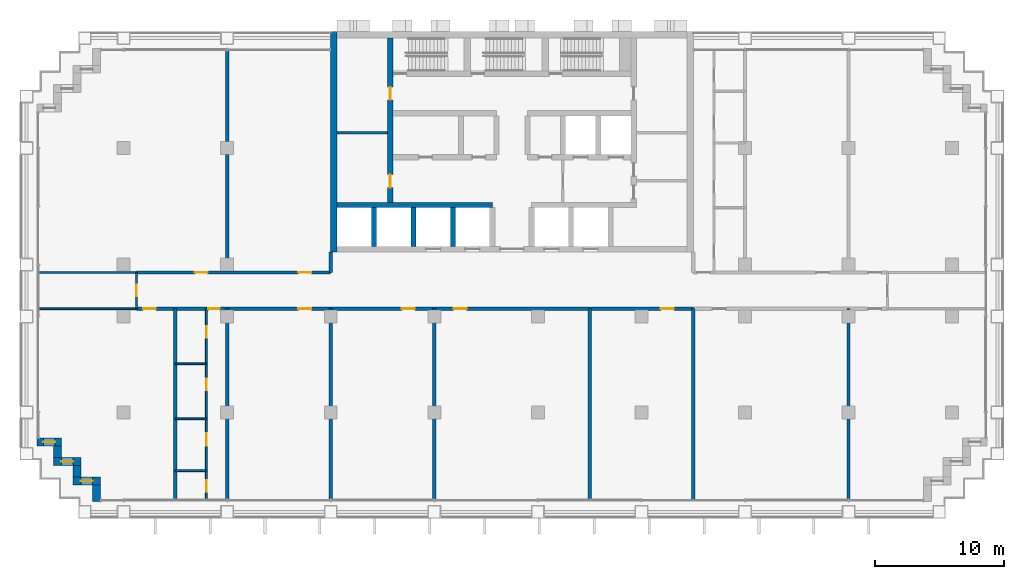
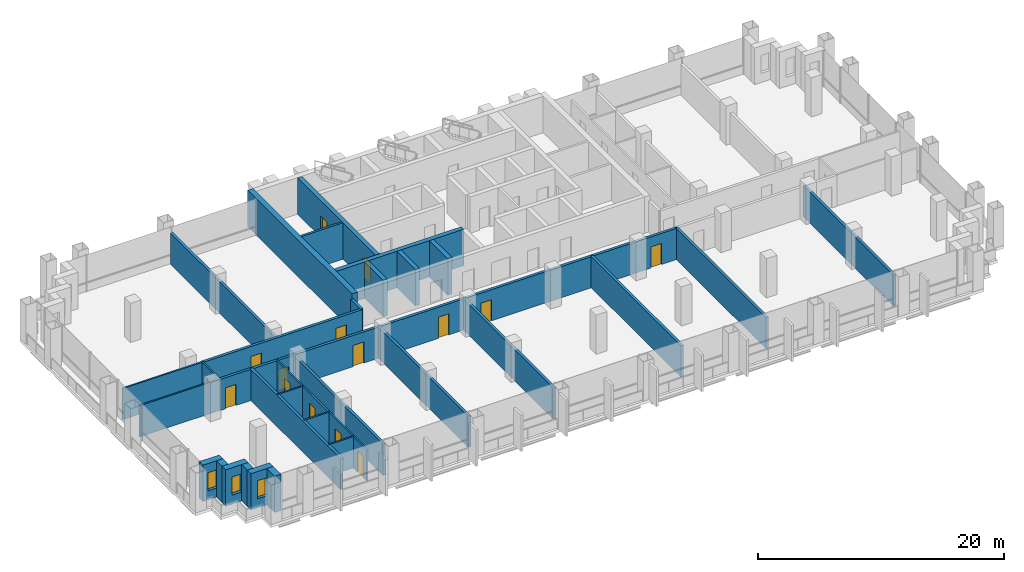
# One storey, part 7 of 13: 32 walls, 15 doors, 3 windows, 18 openings.
"""IFC4 building model written with IfcOpenShell, lengths in metres."""

from ifc_helpers import new_model, si_unit, direction, frame, frame_2d, origin, place, context, subcontext, project, spatial, rectangle, extrude, material, layer, layer_set, type_object, element, fill, save


model = new_model("IFC4")

# Units and contexts
model_context = context("Model", 3, precision=1e-05, world=origin(), true_north=direction((0.0, 1.0)))
body_context = subcontext(model_context, "Body", "Model", "MODEL_VIEW")
ifc_project = project(units=[si_unit("LENGTHUNIT", "METRE"), si_unit("AREAUNIT", "SQUARE_METRE"), si_unit("VOLUMEUNIT", "CUBIC_METRE"), si_unit("PLANEANGLEUNIT", "RADIAN"), si_unit("MASSUNIT", "GRAM", prefix="KILO")], contexts=[model_context])

# Site, building, storey
site_placement = place(None, origin())
site = spatial("IfcSite", under=ifc_project, at=site_placement, CompositionType="ELEMENT")
building_placement = place(site_placement, origin())
building = spatial("IfcBuilding", under=site, at=building_placement, Name="Vidyagriha Tower", CompositionType="ELEMENT")
storey_placement = place(building_placement, frame((0.0, 0.0, 37.699951171875)))
storey = spatial("IfcBuildingStorey", under=building, at=storey_placement, Name="L09", CompositionType="ELEMENT", Elevation=37.699951171875)

# Wall, opening, window
ifc_material_1 = material(Name="Precast concrete C40/50 with brick facing", Category="concrete")
ifc_layer_1 = layer(ifc_material_1, 0.60009765625)
ifc_layer_set_1 = layer_set([ifc_layer_1], Name="Precast concrete C40/50 with brick facing")
wall_type_1 = type_object("IfcWallType", Name="Brick-faced precast wall 600", PredefinedType="STANDARD", material=ifc_layer_set_1)
wall_1_placement = place(storey_placement, frame((-36.679931640625, -11.699951171875, 0.0)))
wall_1 = element("IfcWall", 1, at=wall_1_placement, inside=storey, type_object=wall_type_1, Name="Stepped corner wall L09 R17", PredefinedType="STANDARD", context=body_context, shape_type="SweptSolid", body=[
    extrude(rectangle(XDim=1.8798828125, YDim=0.60009765625, at=frame_2d((0.93994140625, 0.0))), origin(), (0.0, 0.0, 1.0), 3.6201171875),
])
opening_1_placement = place(wall_1_placement, frame((0.489990234375, 0.0, 0.89990234375)))
opening_1 = element("IfcOpeningElement", 2, at=opening_1_placement, cuts=wall_1, Name="Opening WN2", PredefinedType="OPENING", context=body_context, shape_type="SweptSolid", body=[
    extrude(rectangle(XDim=0.89990234375, YDim=1.800048828125, at=frame_2d((0.449951171875, 0.89990234375))), frame((0.0, 0.31005859375, 0.0), z_axis=(0.0, -1.0, 0.0), x_axis=(1.0, 0.0, 0.0)), (0.0, 0.0, 1.0), 0.6201171875),
])
ifc_material_2 = material(Name="Aluminium and glass window", Category="aluminium")
window_type = type_object("IfcWindowType", Name="Reveal window 900x1800", PartitioningType="NOTDEFINED", PredefinedType="WINDOW", material=ifc_material_2)
window_1_placement = place(opening_1_placement, origin())
window_1 = element("IfcWindow", 3, at=window_1_placement, inside=storey, type_object=window_type, Name="Reveal window L09 R17", OverallHeight=1.800048828125, OverallWidth=0.89990234375, PartitioningType="SINGLE_PANEL", PredefinedType="WINDOW", context=body_context, shape_type="SweptSolid", body=[
    extrude(rectangle(XDim=0.89990234375, YDim=1.800048828125, at=frame_2d((0.449951171875, 0.89990234375))), frame((0.0, 0.030029296875, 0.0), z_axis=(0.0, -1.0, 0.0), x_axis=(1.0, 0.0, 0.0)), (0.0, 0.0, 1.0), 0.06005859375),
])
fill(opening_1, window_1)

# Wall
wall_2_placement = place(storey_placement, frame((-35.10009765625, -12.0, 0.0), z_axis=(0.0, 0.0, 1.0), x_axis=(0.0, -1.0, 0.0)))
element("IfcWall", 4, at=wall_2_placement, inside=storey, type_object=wall_type_1, Name="Stepped corner wall L09 R18", PredefinedType="STANDARD", context=body_context, shape_type="SweptSolid", body=[
    extrude(rectangle(XDim=0.89990234375, YDim=0.60009765625, at=frame_2d((0.449951171875, 0.0))), origin(), (0.0, 0.0, 1.0), 3.6201171875),
])

# Wall, opening, window
wall_3_placement = place(storey_placement, frame((-35.39990234375, -13.199951171875, 0.0)))
wall_3 = element("IfcWall", 5, at=wall_3_placement, inside=storey, type_object=wall_type_1, Name="Stepped corner wall L09 R19", PredefinedType="STANDARD", context=body_context, shape_type="SweptSolid", body=[
    extrude(rectangle(XDim=2.099853515625, YDim=0.60009765625, at=frame_2d((1.0498046875, 0.0))), origin(), (0.0, 0.0, 1.0), 3.6201171875),
])
opening_2_placement = place(wall_3_placement, frame((0.60009765625, 0.0, 0.89990234375)))
opening_2 = element("IfcOpeningElement", 6, at=opening_2_placement, cuts=wall_3, Name="Opening WN2", PredefinedType="OPENING", context=body_context, shape_type="SweptSolid", body=[
    extrude(rectangle(XDim=0.89990234375, YDim=1.800048828125, at=frame_2d((0.449951171875, 0.89990234375))), frame((0.0, 0.31005859375, 0.0), z_axis=(0.0, -1.0, 0.0), x_axis=(1.0, 0.0, 0.0)), (0.0, 0.0, 1.0), 0.6201171875),
])
window_2_placement = place(opening_2_placement, origin())
window_2 = element("IfcWindow", 7, at=window_2_placement, inside=storey, type_object=window_type, Name="Reveal window L09 R19", OverallHeight=1.800048828125, OverallWidth=0.89990234375, PartitioningType="SINGLE_PANEL", PredefinedType="WINDOW", context=body_context, shape_type="SweptSolid", body=[
    extrude(rectangle(XDim=0.89990234375, YDim=1.800048828125, at=frame_2d((0.449951171875, 0.89990234375))), frame((0.0, 0.030029296875, 0.0), z_axis=(0.0, -1.0, 0.0), x_axis=(1.0, 0.0, 0.0)), (0.0, 0.0, 1.0), 0.06005859375),
])
fill(opening_2, window_2)

# Wall
wall_4_placement = place(storey_placement, frame((-33.60009765625, -13.5, 0.0), z_axis=(0.0, 0.0, 1.0), x_axis=(0.0, -1.0, 0.0)))
element("IfcWall", 8, at=wall_4_placement, inside=storey, type_object=wall_type_1, Name="Stepped corner wall L09 R20", PredefinedType="STANDARD", context=body_context, shape_type="SweptSolid", body=[
    extrude(rectangle(XDim=0.89990234375, YDim=0.60009765625, at=frame_2d((0.449951171875, 0.0))), origin(), (0.0, 0.0, 1.0), 3.6201171875),
])

# Wall, opening, window
wall_5_placement = place(storey_placement, frame((-33.89990234375, -14.699951171875, 0.0)))
wall_5 = element("IfcWall", 9, at=wall_5_placement, inside=storey, type_object=wall_type_1, Name="Stepped corner wall L09 R21", PredefinedType="STANDARD", context=body_context, shape_type="SweptSolid", body=[
    extrude(rectangle(XDim=2.099853515625, YDim=0.60009765625, at=frame_2d((1.0498046875, 0.0))), origin(), (0.0, 0.0, 1.0), 3.6201171875),
])
opening_3_placement = place(wall_5_placement, frame((0.60009765625, 0.0, 0.89990234375)))
opening_3 = element("IfcOpeningElement", 10, at=opening_3_placement, cuts=wall_5, Name="Opening WN2", PredefinedType="OPENING", context=body_context, shape_type="SweptSolid", body=[
    extrude(rectangle(XDim=0.89990234375, YDim=1.800048828125, at=frame_2d((0.449951171875, 0.89990234375))), frame((0.0, 0.31005859375, 0.0), z_axis=(0.0, -1.0, 0.0), x_axis=(1.0, 0.0, 0.0)), (0.0, 0.0, 1.0), 0.6201171875),
])
window_3_placement = place(opening_3_placement, origin())
window_3 = element("IfcWindow", 11, at=window_3_placement, inside=storey, type_object=window_type, Name="Reveal window L09 R21", OverallHeight=1.800048828125, OverallWidth=0.89990234375, PartitioningType="SINGLE_PANEL", PredefinedType="WINDOW", context=body_context, shape_type="SweptSolid", body=[
    extrude(rectangle(XDim=0.89990234375, YDim=1.800048828125, at=frame_2d((0.449951171875, 0.89990234375))), frame((0.0, 0.030029296875, 0.0), z_axis=(0.0, -1.0, 0.0), x_axis=(1.0, 0.0, 0.0)), (0.0, 0.0, 1.0), 0.06005859375),
])
fill(opening_3, window_3)

# Wall
wall_6_placement = place(storey_placement, frame((-32.10009765625, -15.0, 0.0), z_axis=(0.0, 0.0, 1.0), x_axis=(0.0, -1.0, 0.0)))
element("IfcWall", 12, at=wall_6_placement, inside=storey, type_object=wall_type_1, Name="Stepped corner wall L09 R22", PredefinedType="STANDARD", context=body_context, shape_type="SweptSolid", body=[
    extrude(rectangle(XDim=1.280029296875, YDim=0.60009765625, at=frame_2d((0.64013671875, 0.0))), origin(), (0.0, 0.0, 1.0), 3.6201171875),
])

# Wall, openings, doors
ifc_material_3 = material(Name="Concrete C60/75", Category="concrete")
ifc_layer_2 = layer(ifc_material_3, 0.39990234375)
ifc_layer_set_2 = layer_set([ifc_layer_2], Name="Concrete C60/75")
wall_type_2 = type_object("IfcWallType", Name="Core shear wall 400 mm", PredefinedType="SHEAR", material=ifc_layer_set_2)
wall_7_placement = place(storey_placement, frame((-9.39990234375, 6.800048828125, 0.0), z_axis=(0.0, 0.0, 1.0), x_axis=(0.0, 1.0, 0.0)))
wall_7 = element("IfcWall", 13, at=wall_7_placement, inside=storey, type_object=wall_type_2, Name="Core west spine wall", PredefinedType="SHEAR", context=body_context, shape_type="SweptSolid", body=[
    extrude(rectangle(XDim=12.699951171875, YDim=0.39990234375, at=frame_2d((6.35009765625, 0.0))), origin(), (0.0, 0.0, 1.0), 3.6201171875),
])
opening_4_placement = place(wall_7_placement, frame((1.14990234375, 0.0, 0.0)))
opening_4 = element("IfcOpeningElement", 14, at=opening_4_placement, cuts=wall_7, Name="Opening D09-09", PredefinedType="OPENING", context=body_context, shape_type="SweptSolid", body=[
    extrude(rectangle(XDim=1.0, YDim=2.10009765625, at=frame_2d((0.5, 1.050048828125))), frame((0.0, 0.2099609375, 0.0), z_axis=(0.0, -1.0, 0.0), x_axis=(1.0, 0.0, 0.0)), (0.0, 0.0, 1.0), 0.419921875),
])
opening_5_placement = place(wall_7_placement, frame((7.925048828125, 0.0, 0.0)))
opening_5 = element("IfcOpeningElement", 15, at=opening_5_placement, cuts=wall_7, Name="Opening D09-10", PredefinedType="OPENING", context=body_context, shape_type="SweptSolid", body=[
    extrude(rectangle(XDim=1.0, YDim=2.10009765625, at=frame_2d((0.5, 1.050048828125))), frame((0.0, 0.2099609375, 0.0), z_axis=(0.0, -1.0, 0.0), x_axis=(1.0, 0.0, 0.0)), (0.0, 0.0, 1.0), 0.419921875),
])
ifc_material_4 = material(Name="Hollow metal door leaf")
door_type_1 = type_object("IfcDoorType", Name="Core room door 1000 x 2100 mm EI 60", OperationType="NOTDEFINED", PredefinedType="DOOR", material=ifc_material_4)
door_1_placement = place(opening_4_placement, frame((1.0, 0.0, 0.0), z_axis=(0.0, 0.0, 1.0), x_axis=(-1.0, 0.0, 0.0)))
door_1 = element("IfcDoor", 16, at=door_1_placement, inside=storey, type_object=door_type_1, Name="Door Cleaners Store 09.W1", OperationType="SINGLE_SWING_RIGHT", OverallHeight=2.10009765625, OverallWidth=1.0, PredefinedType="DOOR", context=body_context, shape_type="SweptSolid", body=[
    extrude(rectangle(XDim=1.0, YDim=2.10009765625, at=frame_2d((0.5, 1.050048828125))), frame((0.0, 0.02490234375, 0.0), z_axis=(0.0, -1.0, 0.0), x_axis=(1.0, 0.0, 0.0)), (0.0, 0.0, 1.0), 0.050048828125),
])
fill(opening_4, door_1)
door_2_placement = place(opening_5_placement, frame((1.0, 0.0, 0.0), z_axis=(0.0, 0.0, 1.0), x_axis=(-1.0, 0.0, 0.0)))
door_2 = element("IfcDoor", 17, at=door_2_placement, inside=storey, type_object=door_type_1, Name="Door Pressurisation Plant Room 09.W2", OperationType="SINGLE_SWING_LEFT", OverallHeight=2.10009765625, OverallWidth=1.0, PredefinedType="DOOR", context=body_context, shape_type="SweptSolid", body=[
    extrude(rectangle(XDim=1.0, YDim=2.10009765625, at=frame_2d((0.5, 1.050048828125))), frame((0.0, 0.02490234375, 0.0), z_axis=(0.0, -1.0, 0.0), x_axis=(1.0, 0.0, 0.0)), (0.0, 0.0, 1.0), 0.050048828125),
])
fill(opening_5, door_2)

# Walls
wall_8_placement = place(storey_placement, frame((-13.5, 6.60009765625, 0.0)))
element("IfcWall", 18, at=wall_8_placement, inside=storey, type_object=wall_type_2, Name="Core lobby south wall west", PredefinedType="SHEAR", context=body_context, shape_type="SweptSolid", body=[
    extrude(rectangle(XDim=11.977783203125, YDim=0.39990234375, at=frame_2d((5.98876953125, 0.0))), origin(), (0.0, 0.0, 1.0), 3.6201171875),
])
for number, where, z_axis, x_axis, name in (
    (19, (-10.655517578125, 3.39990234375, 0.0), (0.0, 0.0, 1.0), (0.0, 1.0, 0.0), "Core bay wall S1"),
    (20, (-7.611083984375, 3.39990234375, 0.0), (0.0, 0.0, 1.0), (0.0, 1.0, 0.0), "Core bay wall S2"),
    (21, (-4.566650390625, 3.39990234375, 0.0), (0.0, 0.0, 1.0), (0.0, 1.0, 0.0), "Core bay wall S3"),
):
    element("IfcWall", number, at=place(storey_placement, frame(where, z_axis=z_axis, x_axis=x_axis)), inside=storey, type_object=wall_type_2, Name=name, PredefinedType="SHEAR", context=body_context, shape_type="SweptSolid", body=[
        extrude(rectangle(XDim=3.0, YDim=0.39990234375, at=frame_2d((1.5, 0.0))), origin(), (0.0, 0.0, 1.0), 3.6201171875),
    ])
ifc_material_5 = material(Name="Concrete C60/75", Category="concrete")
ifc_layer_3 = layer(ifc_material_5, 0.5)
ifc_layer_set_3 = layer_set([ifc_layer_3], Name="Concrete C60/75")
wall_type_3 = type_object("IfcWallType", Name="Core shear wall 500 mm", PredefinedType="SHEAR", material=ifc_layer_set_3)
wall_9_placement = place(storey_placement, frame((-13.75, 3.0, 0.0), z_axis=(0.0, 0.0, 1.0), x_axis=(0.0, 1.0, 0.0)))
element("IfcWall", 22, at=wall_9_placement, inside=storey, type_object=wall_type_3, Name="Core west wall", PredefinedType="SHEAR", context=body_context, shape_type="SweptSolid", body=[
    extrude(rectangle(XDim=17.0, YDim=0.5, at=frame_2d((8.5, 0.0))), origin(), (0.0, 0.0, 1.0), 3.6201171875),
])

# Wall, openings, doors
ifc_material_6 = material(Name="Fired clay brick masonry", Category="masonry")
ifc_layer_4 = layer(ifc_material_6, 0.25)
ifc_layer_set_4 = layer_set([ifc_layer_4], Name="Fired clay brick masonry")
wall_type_4 = type_object("IfcWallType", Name="Fired clay brick corridor wall 250", PredefinedType="PARTITIONING", material=ifc_layer_set_4)
wall_10_placement = place(storey_placement, frame((-14.0, -1.39990234375, 0.0), z_axis=(0.0, 0.0, 1.0), x_axis=(-1.0, 0.0, 0.0)))
wall_10 = element("IfcWall", 23, at=wall_10_placement, inside=storey, type_object=wall_type_4, Name="Wall all-L09-w001", PredefinedType="PARTITIONING", context=body_context, shape_type="SweptSolid", body=[
    extrude(rectangle(XDim=15.0, YDim=0.25, at=frame_2d((7.5, 0.0))), origin(), (0.0, 0.0, 1.0), 3.10009765625),
])
opening_6_placement = place(wall_10_placement, frame((1.5, 0.0, 0.0)))
opening_6 = element("IfcOpeningElement", 24, at=opening_6_placement, cuts=wall_10, Name="Opening D09-14", PredefinedType="OPENING", context=body_context, shape_type="SweptSolid", body=[
    extrude(rectangle(XDim=1.0, YDim=2.10009765625, at=frame_2d((0.5, 1.050048828125))), frame((0.0, 0.135009765625, 0.0), z_axis=(0.0, -1.0, 0.0), x_axis=(1.0, 0.0, 0.0)), (0.0, 0.0, 1.0), 0.27001953125),
])
opening_7_placement = place(wall_10_placement, frame((8.554931640625, 0.0, 0.0)))
opening_7 = element("IfcOpeningElement", 25, at=opening_7_placement, cuts=wall_10, Name="Opening D09-19", PredefinedType="OPENING", context=body_context, shape_type="SweptSolid", body=[
    extrude(rectangle(XDim=0.89990234375, YDim=2.10009765625, at=frame_2d((0.449951171875, 1.050048828125))), frame((0.0, 0.135009765625, 0.0), z_axis=(0.0, -1.0, 0.0), x_axis=(1.0, 0.0, 0.0)), (0.0, 0.0, 1.0), 0.27001953125),
])
opening_8_placement = place(wall_10_placement, frame((13.5, 0.0, 0.0)))
opening_8 = element("IfcOpeningElement", 26, at=opening_8_placement, cuts=wall_10, Name="Opening D09-20", PredefinedType="OPENING", context=body_context, shape_type="SweptSolid", body=[
    extrude(rectangle(XDim=1.0, YDim=2.10009765625, at=frame_2d((0.5, 1.050048828125))), frame((0.0, 0.135009765625, 0.0), z_axis=(0.0, -1.0, 0.0), x_axis=(1.0, 0.0, 0.0)), (0.0, 0.0, 1.0), 0.27001953125),
])
ifc_material_7 = material(Name="Fire-rated timber door leaf EI 60", Category="wood")
door_type_2 = type_object("IfcDoorType", Name="Flat entrance fire door 1000x2100", OperationType="NOTDEFINED", PredefinedType="DOOR", material=ifc_material_7)
door_3_placement = place(opening_6_placement, origin())
door_3 = element("IfcDoor", 27, at=door_3_placement, inside=storey, type_object=door_type_2, Name="Door D09-14", OperationType="SINGLE_SWING_LEFT", OverallHeight=2.10009765625, OverallWidth=1.0, PredefinedType="DOOR", context=body_context, shape_type="SweptSolid", body=[
    extrude(rectangle(XDim=1.0, YDim=2.10009765625, at=frame_2d((0.5, 1.050048828125))), frame((0.0, 0.02490234375, 0.0), z_axis=(0.0, -1.0, 0.0), x_axis=(1.0, 0.0, 0.0)), (0.0, 0.0, 1.0), 0.050048828125),
])
fill(opening_6, door_3)
door_4_placement = place(opening_8_placement, origin())
door_4 = element("IfcDoor", 28, at=door_4_placement, inside=storey, type_object=door_type_2, Name="Door D09-20", OperationType="SINGLE_SWING_LEFT", OverallHeight=2.10009765625, OverallWidth=1.0, PredefinedType="DOOR", context=body_context, shape_type="SweptSolid", body=[
    extrude(rectangle(XDim=1.0, YDim=2.10009765625, at=frame_2d((0.5, 1.050048828125))), frame((0.0, 0.02490234375, 0.0), z_axis=(0.0, -1.0, 0.0), x_axis=(1.0, 0.0, 0.0)), (0.0, 0.0, 1.0), 0.050048828125),
])
fill(opening_8, door_4)
ifc_material_8 = material(Name="Fire-rated timber door leaf EI 60", Category="wood")
door_type_3 = type_object("IfcDoorType", Name="Flat entrance fire door 900x2100", OperationType="NOTDEFINED", PredefinedType="DOOR", material=ifc_material_8)
door_5_placement = place(opening_7_placement, origin())
door_5 = element("IfcDoor", 29, at=door_5_placement, inside=storey, type_object=door_type_3, Name="Door D09-19", OperationType="SINGLE_SWING_RIGHT", OverallHeight=2.10009765625, OverallWidth=0.89990234375, PredefinedType="DOOR", context=body_context, shape_type="SweptSolid", body=[
    extrude(rectangle(XDim=0.89990234375, YDim=2.10009765625, at=frame_2d((0.449951171875, 1.050048828125))), frame((0.0, 0.02490234375, 0.0), z_axis=(0.0, -1.0, 0.0), x_axis=(1.0, 0.0, 0.0)), (0.0, 0.0, 1.0), 0.050048828125),
])
fill(opening_7, door_5)

wall_11_placement = place(storey_placement, frame((-29.0, 1.39990234375, 0.0)))
wall_11 = element("IfcWall", 30, at=wall_11_placement, inside=storey, type_object=wall_type_4, Name="Wall all-L09-w019", PredefinedType="PARTITIONING", context=body_context, shape_type="SweptSolid", body=[
    extrude(rectangle(XDim=15.0, YDim=0.25, at=frame_2d((7.5, 0.0))), origin(), (0.0, 0.0, 1.0), 3.10009765625),
])
opening_9_placement = place(wall_11_placement, frame((12.5, 0.0, 0.0)))
opening_9 = element("IfcOpeningElement", 31, at=opening_9_placement, cuts=wall_11, Name="Opening D09-22", PredefinedType="OPENING", context=body_context, shape_type="SweptSolid", body=[
    extrude(rectangle(XDim=1.0, YDim=2.10009765625, at=frame_2d((0.5, 1.050048828125))), frame((0.0, 0.135009765625, 0.0), z_axis=(0.0, -1.0, 0.0), x_axis=(1.0, 0.0, 0.0)), (0.0, 0.0, 1.0), 0.27001953125),
])
opening_10_placement = place(wall_11_placement, frame((4.5, 0.0, 0.0)))
opening_10 = element("IfcOpeningElement", 32, at=opening_10_placement, cuts=wall_11, Name="Opening D09-23", PredefinedType="OPENING", context=body_context, shape_type="SweptSolid", body=[
    extrude(rectangle(XDim=1.0, YDim=2.10009765625, at=frame_2d((0.5, 1.050048828125))), frame((0.0, 0.135009765625, 0.0), z_axis=(0.0, -1.0, 0.0), x_axis=(1.0, 0.0, 0.0)), (0.0, 0.0, 1.0), 0.27001953125),
])
door_6_placement = place(opening_9_placement, origin())
door_6 = element("IfcDoor", 33, at=door_6_placement, inside=storey, type_object=door_type_2, Name="Door D09-22", OperationType="SINGLE_SWING_RIGHT", OverallHeight=2.10009765625, OverallWidth=1.0, PredefinedType="DOOR", context=body_context, shape_type="SweptSolid", body=[
    extrude(rectangle(XDim=1.0, YDim=2.10009765625, at=frame_2d((0.5, 1.050048828125))), frame((0.0, 0.02490234375, 0.0), z_axis=(0.0, -1.0, 0.0), x_axis=(1.0, 0.0, 0.0)), (0.0, 0.0, 1.0), 0.050048828125),
])
fill(opening_9, door_6)
door_7_placement = place(opening_10_placement, origin())
door_7 = element("IfcDoor", 34, at=door_7_placement, inside=storey, type_object=door_type_2, Name="Door D09-23", OperationType="SINGLE_SWING_RIGHT", OverallHeight=2.10009765625, OverallWidth=1.0, PredefinedType="DOOR", context=body_context, shape_type="SweptSolid", body=[
    extrude(rectangle(XDim=1.0, YDim=2.10009765625, at=frame_2d((0.5, 1.050048828125))), frame((0.0, 0.02490234375, 0.0), z_axis=(0.0, -1.0, 0.0), x_axis=(1.0, 0.0, 0.0)), (0.0, 0.0, 1.0), 0.050048828125),
])
fill(opening_10, door_7)

wall_12_placement = place(storey_placement, frame((14.0, -1.39990234375, 0.0), z_axis=(0.0, 0.0, 1.0), x_axis=(-1.0, 0.0, 0.0)))
wall_12 = element("IfcWall", 35, at=wall_12_placement, inside=storey, type_object=wall_type_4, Name="Wall all-L09-w052", PredefinedType="PARTITIONING", context=body_context, shape_type="SweptSolid", body=[
    extrude(rectangle(XDim=28.0, YDim=0.25, at=frame_2d((14.0, 0.0))), origin(), (0.0, 0.0, 1.0), 3.10009765625),
])
opening_11_placement = place(wall_12_placement, frame((21.5, 0.0, 0.0)))
opening_11 = element("IfcOpeningElement", 36, at=opening_11_placement, cuts=wall_12, Name="Opening D09-34", PredefinedType="OPENING", context=body_context, shape_type="SweptSolid", body=[
    extrude(rectangle(XDim=1.0, YDim=2.10009765625, at=frame_2d((0.5, 1.050048828125))), frame((0.0, 0.135009765625, 0.0), z_axis=(0.0, -1.0, 0.0), x_axis=(1.0, 0.0, 0.0)), (0.0, 0.0, 1.0), 0.27001953125),
])
opening_12_placement = place(wall_12_placement, frame((17.5, 0.0, 0.0)))
opening_12 = element("IfcOpeningElement", 37, at=opening_12_placement, cuts=wall_12, Name="Opening D09-35", PredefinedType="OPENING", context=body_context, shape_type="SweptSolid", body=[
    extrude(rectangle(XDim=1.0, YDim=2.10009765625, at=frame_2d((0.5, 1.050048828125))), frame((0.0, 0.135009765625, 0.0), z_axis=(0.0, -1.0, 0.0), x_axis=(1.0, 0.0, 0.0)), (0.0, 0.0, 1.0), 0.27001953125),
])
opening_13_placement = place(wall_12_placement, frame((1.5, 0.0, 0.0)))
opening_13 = element("IfcOpeningElement", 38, at=opening_13_placement, cuts=wall_12, Name="Opening D09-36", PredefinedType="OPENING", context=body_context, shape_type="SweptSolid", body=[
    extrude(rectangle(XDim=1.0, YDim=2.10009765625, at=frame_2d((0.5, 1.050048828125))), frame((0.0, 0.135009765625, 0.0), z_axis=(0.0, -1.0, 0.0), x_axis=(1.0, 0.0, 0.0)), (0.0, 0.0, 1.0), 0.27001953125),
])
door_8_placement = place(opening_11_placement, origin())
door_8 = element("IfcDoor", 39, at=door_8_placement, inside=storey, type_object=door_type_2, Name="Door D09-34", OperationType="SINGLE_SWING_LEFT", OverallHeight=2.10009765625, OverallWidth=1.0, PredefinedType="DOOR", context=body_context, shape_type="SweptSolid", body=[
    extrude(rectangle(XDim=1.0, YDim=2.10009765625, at=frame_2d((0.5, 1.050048828125))), frame((0.0, 0.02490234375, 0.0), z_axis=(0.0, -1.0, 0.0), x_axis=(1.0, 0.0, 0.0)), (0.0, 0.0, 1.0), 0.050048828125),
])
fill(opening_11, door_8)
door_9_placement = place(opening_12_placement, origin())
door_9 = element("IfcDoor", 40, at=door_9_placement, inside=storey, type_object=door_type_2, Name="Door D09-35", OperationType="SINGLE_SWING_RIGHT", OverallHeight=2.10009765625, OverallWidth=1.0, PredefinedType="DOOR", context=body_context, shape_type="SweptSolid", body=[
    extrude(rectangle(XDim=1.0, YDim=2.10009765625, at=frame_2d((0.5, 1.050048828125))), frame((0.0, 0.02490234375, 0.0), z_axis=(0.0, -1.0, 0.0), x_axis=(1.0, 0.0, 0.0)), (0.0, 0.0, 1.0), 0.050048828125),
])
fill(opening_12, door_9)
door_10_placement = place(opening_13_placement, origin())
door_10 = element("IfcDoor", 41, at=door_10_placement, inside=storey, type_object=door_type_2, Name="Door D09-36", OperationType="SINGLE_SWING_LEFT", OverallHeight=2.10009765625, OverallWidth=1.0, PredefinedType="DOOR", context=body_context, shape_type="SweptSolid", body=[
    extrude(rectangle(XDim=1.0, YDim=2.10009765625, at=frame_2d((0.5, 1.050048828125))), frame((0.0, 0.02490234375, 0.0), z_axis=(0.0, -1.0, 0.0), x_axis=(1.0, 0.0, 0.0)), (0.0, 0.0, 1.0), 0.050048828125),
])
fill(opening_13, door_10)

# Walls
wall_13_placement = place(storey_placement, frame((-14.0, 3.0, 0.0), z_axis=(0.0, 0.0, 1.0), x_axis=(0.0, -1.0, 0.0)))
element("IfcWall", 42, at=wall_13_placement, inside=storey, type_object=wall_type_4, Name="Wall all-L09-w053", PredefinedType="PARTITIONING", context=body_context, shape_type="SweptSolid", body=[
    extrude(rectangle(XDim=1.60009765625, YDim=0.25, at=frame_2d((0.800048828125, 0.0))), origin(), (0.0, 0.0, 1.0), 3.10009765625),
])
ifc_material_9 = material(Name="Fired clay brick masonry", Category="masonry")
ifc_layer_5 = layer(ifc_material_9, 0.25)
ifc_layer_set_5 = layer_set([ifc_layer_5], Name="Fired clay brick masonry")
wall_type_5 = type_object("IfcWallType", Name="Fired clay brick demising wall 250", PredefinedType="PARTITIONING", material=ifc_layer_set_5)
for number, where, z_axis, x_axis, name in (
    (43, (-26.0, -1.39990234375, 0.0), (0.0, 0.0, 1.0), (0.0, -1.0, 0.0), "Wall all-L09-w016"),
    (44, (-22.0, -1.39990234375, 0.0), (0.0, 0.0, 1.0), (0.0, -1.0, 0.0), "Wall all-L09-w017"),
    (45, (-14.0, -1.39990234375, 0.0), (0.0, 0.0, 1.0), (0.0, -1.0, 0.0), "Wall all-L09-w018"),
):
    element("IfcWall", number, at=place(storey_placement, frame(where, z_axis=z_axis, x_axis=x_axis)), inside=storey, type_object=wall_type_5, Name=name, PredefinedType="PARTITIONING", context=body_context, shape_type="SweptSolid", body=[
        extrude(rectangle(XDim=14.72119140625, YDim=0.25, at=frame_2d((7.360595703125, 0.0))), origin(), (0.0, 0.0, 1.0), 3.10009765625),
    ])
wall_14_placement = place(storey_placement, frame((-22.0, 18.52099609375, 0.0), z_axis=(0.0, 0.0, 1.0), x_axis=(0.0, -1.0, 0.0)))
element("IfcWall", 46, at=wall_14_placement, inside=storey, type_object=wall_type_5, Name="Wall all-L09-w023", PredefinedType="PARTITIONING", context=body_context, shape_type="SweptSolid", body=[
    extrude(rectangle(XDim=17.12109375, YDim=0.25, at=frame_2d((8.560546875, 0.0))), origin(), (0.0, 0.0, 1.0), 3.10009765625),
])
for number, where, z_axis, x_axis, name in (
    (47, (14.0, -1.39990234375, 0.0), (0.0, 0.0, 1.0), (0.0, -1.0, 0.0), "Wall all-L09-w030"),
    (48, (26.0, -1.39990234375, 0.0), (0.0, 0.0, 1.0), (0.0, -1.0, 0.0), "Wall all-L09-w031"),
    (49, (-6.0, -1.39990234375, 0.0), (0.0, 0.0, 1.0), (0.0, -1.0, 0.0), "Wall all-L09-w050"),
    (50, (6.0, -1.39990234375, 0.0), (0.0, 0.0, 1.0), (0.0, -1.0, 0.0), "Wall all-L09-w051"),
):
    element("IfcWall", number, at=place(storey_placement, frame(where, z_axis=z_axis, x_axis=x_axis)), inside=storey, type_object=wall_type_5, Name=name, PredefinedType="PARTITIONING", context=body_context, shape_type="SweptSolid", body=[
        extrude(rectangle(XDim=14.72119140625, YDim=0.25, at=frame_2d((7.360595703125, 0.0))), origin(), (0.0, 0.0, 1.0), 3.10009765625),
    ])
ifc_material_10 = material(Name="Gypsum board partition")
ifc_layer_6 = layer(ifc_material_10, 0.14990234375)
ifc_layer_set_6 = layer_set([ifc_layer_6], Name="Gypsum board partition")
wall_type_6 = type_object("IfcWallType", Name="Gypsum board partition 150", PredefinedType="PARTITIONING", material=ifc_layer_set_6)
wall_15_placement = place(storey_placement, frame((-29.0, -1.39990234375, 0.0), z_axis=(0.0, 0.0, 1.0), x_axis=(-1.0, 0.0, 0.0)))
element("IfcWall", 51, at=wall_15_placement, inside=storey, type_object=wall_type_6, Name="Wall all-L09-w002", PredefinedType="PARTITIONING", context=body_context, shape_type="SweptSolid", body=[
    extrude(rectangle(XDim=7.530029296875, YDim=0.14990234375, at=frame_2d((3.76513671875, 0.0))), origin(), (0.0, 0.0, 1.0), 3.10009765625),
])

# Wall, opening, door
wall_16_placement = place(storey_placement, frame((-29.0, 1.39990234375, 0.0), z_axis=(0.0, 0.0, 1.0), x_axis=(0.0, -1.0, 0.0)))
wall_16 = element("IfcWall", 52, at=wall_16_placement, inside=storey, type_object=wall_type_6, Name="Wall all-L09-w003", PredefinedType="PARTITIONING", context=body_context, shape_type="SweptSolid", body=[
    extrude(rectangle(XDim=2.7998046875, YDim=0.14990234375, at=frame_2d((1.39990234375, 0.0))), origin(), (0.0, 0.0, 1.0), 3.10009765625),
])
opening_14_placement = place(wall_16_placement, frame((0.949951171875, 0.0, 0.0)))
opening_14 = element("IfcOpeningElement", 53, at=opening_14_placement, cuts=wall_16, Name="Opening D09-21", PredefinedType="OPENING", context=body_context, shape_type="SweptSolid", body=[
    extrude(rectangle(XDim=0.89990234375, YDim=2.10009765625, at=frame_2d((0.449951171875, 1.050048828125))), frame((0.0, 0.0849609375, 0.0), z_axis=(0.0, -1.0, 0.0), x_axis=(1.0, 0.0, 0.0)), (0.0, 0.0, 1.0), 0.169921875),
])
ifc_material_11 = material(Name="Timber door leaf", Category="wood")
door_type_4 = type_object("IfcDoorType", Name="Room door 900x2100", OperationType="NOTDEFINED", PredefinedType="DOOR", material=ifc_material_11)
door_11_placement = place(opening_14_placement, origin())
door_11 = element("IfcDoor", 54, at=door_11_placement, inside=storey, type_object=door_type_4, Name="Door D09-21", OperationType="SINGLE_SWING_RIGHT", OverallHeight=2.10009765625, OverallWidth=0.89990234375, PredefinedType="DOOR", context=body_context, shape_type="SweptSolid", body=[
    extrude(rectangle(XDim=0.89990234375, YDim=2.10009765625, at=frame_2d((0.449951171875, 1.050048828125))), frame((0.0, 0.02490234375, 0.0), z_axis=(0.0, -1.0, 0.0), x_axis=(1.0, 0.0, 0.0)), (0.0, 0.0, 1.0), 0.050048828125),
])
fill(opening_14, door_11)

# Walls
for number, where, z_axis, x_axis, name in (
    (55, (-23.60009765625, -5.64990234375, 0.0), (0.0, 0.0, 1.0), (-1.0, 0.0, 0.0), "Wall all-L09-w007"),
    (56, (-23.60009765625, -9.89990234375, 0.0), (0.0, 0.0, 1.0), (-1.0, 0.0, 0.0), "Wall all-L09-w009"),
    (57, (-23.60009765625, -13.89990234375, 0.0), (0.0, 0.0, 1.0), (-1.0, 0.0, 0.0), "Wall all-L09-w011"),
):
    element("IfcWall", number, at=place(storey_placement, frame(where, z_axis=z_axis, x_axis=x_axis)), inside=storey, type_object=wall_type_6, Name=name, PredefinedType="PARTITIONING", context=body_context, shape_type="SweptSolid", body=[
        extrude(rectangle(XDim=2.39990234375, YDim=0.14990234375, at=frame_2d((1.199951171875, 0.0))), origin(), (0.0, 0.0, 1.0), 3.10009765625),
    ])
wall_17_placement = place(storey_placement, frame((-36.530029296875, 1.39990234375, 0.0)))
element("IfcWall", 58, at=wall_17_placement, inside=storey, type_object=wall_type_6, Name="Wall all-L09-w020", PredefinedType="PARTITIONING", context=body_context, shape_type="SweptSolid", body=[
    extrude(rectangle(XDim=7.530029296875, YDim=0.14990234375, at=frame_2d((3.76513671875, 0.0))), origin(), (0.0, 0.0, 1.0), 3.10009765625),
])

# Wall, openings, doors
ifc_material_12 = material(Name="Moisture resistant gypsum board partition")
ifc_layer_7 = layer(ifc_material_12, 0.14990234375)
ifc_layer_set_7 = layer_set([ifc_layer_7], Name="Moisture resistant gypsum board partition")
wall_type_7 = type_object("IfcWallType", Name="Gypsum board wet-area partition 150", PredefinedType="PARTITIONING", material=ifc_layer_set_7)
wall_18_placement = place(storey_placement, frame((-23.60009765625, -16.12109375, 0.0), z_axis=(0.0, 0.0, 1.0), x_axis=(0.0, 1.0, 0.0)))
wall_18 = element("IfcWall", 59, at=wall_18_placement, inside=storey, type_object=wall_type_7, Name="Wall all-L09-w005", PredefinedType="PARTITIONING", context=body_context, shape_type="SweptSolid", body=[
    extrude(rectangle(XDim=14.72119140625, YDim=0.14990234375, at=frame_2d((7.360595703125, 0.0))), origin(), (0.0, 0.0, 1.0), 3.10009765625),
])
opening_15_placement = place(wall_18_placement, frame((12.4609375, 0.0, 0.0)))
opening_15 = element("IfcOpeningElement", 60, at=opening_15_placement, cuts=wall_18, Name="Opening D09-15", PredefinedType="OPENING", context=body_context, shape_type="SweptSolid", body=[
    extrude(rectangle(XDim=0.89990234375, YDim=2.10009765625, at=frame_2d((0.449951171875, 1.050048828125))), frame((0.0, 0.0849609375, 0.0), z_axis=(0.0, -1.0, 0.0), x_axis=(1.0, 0.0, 0.0)), (0.0, 0.0, 1.0), 0.169921875),
])
opening_16_placement = place(wall_18_placement, frame((8.4208984375, 0.0, 0.0)))
opening_16 = element("IfcOpeningElement", 61, at=opening_16_placement, cuts=wall_18, Name="Opening D09-16", PredefinedType="OPENING", context=body_context, shape_type="SweptSolid", body=[
    extrude(rectangle(XDim=0.89990234375, YDim=2.10009765625, at=frame_2d((0.449951171875, 1.050048828125))), frame((0.0, 0.0849609375, 0.0), z_axis=(0.0, -1.0, 0.0), x_axis=(1.0, 0.0, 0.0)), (0.0, 0.0, 1.0), 0.169921875),
])
opening_17_placement = place(wall_18_placement, frame((4.12109375, 0.0, 0.0)))
opening_17 = element("IfcOpeningElement", 62, at=opening_17_placement, cuts=wall_18, Name="Opening D09-17", PredefinedType="OPENING", context=body_context, shape_type="SweptSolid", body=[
    extrude(rectangle(XDim=1.0, YDim=2.10009765625, at=frame_2d((0.5, 1.050048828125))), frame((0.0, 0.0849609375, 0.0), z_axis=(0.0, -1.0, 0.0), x_axis=(1.0, 0.0, 0.0)), (0.0, 0.0, 1.0), 0.169921875),
])
opening_18_placement = place(wall_18_placement, frame((0.571044921875, 0.0, 0.0)))
opening_18 = element("IfcOpeningElement", 63, at=opening_18_placement, cuts=wall_18, Name="Opening D09-18", PredefinedType="OPENING", context=body_context, shape_type="SweptSolid", body=[
    extrude(rectangle(XDim=0.89990234375, YDim=2.10009765625, at=frame_2d((0.449951171875, 1.050048828125))), frame((0.0, 0.0849609375, 0.0), z_axis=(0.0, -1.0, 0.0), x_axis=(1.0, 0.0, 0.0)), (0.0, 0.0, 1.0), 0.169921875),
])
ifc_material_13 = material(Name="Timber door leaf", Category="wood")
door_type_5 = type_object("IfcDoorType", Name="Bathroom door 1000x2100", OperationType="NOTDEFINED", PredefinedType="DOOR", material=ifc_material_13)
door_12_placement = place(opening_17_placement, origin())
door_12 = element("IfcDoor", 64, at=door_12_placement, inside=storey, type_object=door_type_5, Name="Door D09-17", OperationType="SINGLE_SWING_RIGHT", OverallHeight=2.10009765625, OverallWidth=1.0, PredefinedType="DOOR", context=body_context, shape_type="SweptSolid", body=[
    extrude(rectangle(XDim=1.0, YDim=2.10009765625, at=frame_2d((0.5, 1.050048828125))), frame((0.0, 0.02490234375, 0.0), z_axis=(0.0, -1.0, 0.0), x_axis=(1.0, 0.0, 0.0)), (0.0, 0.0, 1.0), 0.050048828125),
])
fill(opening_17, door_12)
ifc_material_14 = material(Name="Timber door leaf", Category="wood")
door_type_6 = type_object("IfcDoorType", Name="Bathroom door 900x2100", OperationType="NOTDEFINED", PredefinedType="DOOR", material=ifc_material_14)
door_13_placement = place(opening_15_placement, origin())
door_13 = element("IfcDoor", 65, at=door_13_placement, inside=storey, type_object=door_type_6, Name="Door D09-15", OperationType="SINGLE_SWING_RIGHT", OverallHeight=2.10009765625, OverallWidth=0.89990234375, PredefinedType="DOOR", context=body_context, shape_type="SweptSolid", body=[
    extrude(rectangle(XDim=0.89990234375, YDim=2.10009765625, at=frame_2d((0.449951171875, 1.050048828125))), frame((0.0, 0.02490234375, 0.0), z_axis=(0.0, -1.0, 0.0), x_axis=(1.0, 0.0, 0.0)), (0.0, 0.0, 1.0), 0.050048828125),
])
fill(opening_15, door_13)
door_14_placement = place(opening_16_placement, origin())
door_14 = element("IfcDoor", 66, at=door_14_placement, inside=storey, type_object=door_type_6, Name="Door D09-16", OperationType="SINGLE_SWING_RIGHT", OverallHeight=2.10009765625, OverallWidth=0.89990234375, PredefinedType="DOOR", context=body_context, shape_type="SweptSolid", body=[
    extrude(rectangle(XDim=0.89990234375, YDim=2.10009765625, at=frame_2d((0.449951171875, 1.050048828125))), frame((0.0, 0.02490234375, 0.0), z_axis=(0.0, -1.0, 0.0), x_axis=(1.0, 0.0, 0.0)), (0.0, 0.0, 1.0), 0.050048828125),
])
fill(opening_16, door_14)
door_15_placement = place(opening_18_placement, origin())
door_15 = element("IfcDoor", 67, at=door_15_placement, inside=storey, type_object=door_type_6, Name="Door D09-18", OperationType="SINGLE_SWING_LEFT", OverallHeight=2.10009765625, OverallWidth=0.89990234375, PredefinedType="DOOR", context=body_context, shape_type="SweptSolid", body=[
    extrude(rectangle(XDim=0.89990234375, YDim=2.10009765625, at=frame_2d((0.449951171875, 1.050048828125))), frame((0.0, 0.02490234375, 0.0), z_axis=(0.0, -1.0, 0.0), x_axis=(1.0, 0.0, 0.0)), (0.0, 0.0, 1.0), 0.050048828125),
])
fill(opening_18, door_15)

# Wall
ifc_material_15 = material(Name="Blockwork 15 MPa", Category="masonry")
ifc_layer_8 = layer(ifc_material_15, 0.199951171875)
ifc_layer_set_8 = layer_set([ifc_layer_8], Name="Blockwork 15 MPa")
wall_type_8 = type_object("IfcWallType", Name="Service room partition 200 mm", PredefinedType="PARTITIONING", material=ifc_layer_set_8)
wall_19_placement = place(storey_placement, frame((-13.5, 12.199951171875, 0.0)))
element("IfcWall", 68, at=wall_19_placement, inside=storey, type_object=wall_type_8, Name="Core room partition W1", PredefinedType="PARTITIONING", context=body_context, shape_type="SweptSolid", body=[
    extrude(rectangle(XDim=3.89990234375, YDim=0.199951171875, at=frame_2d((1.949951171875, 0.0))), origin(), (0.0, 0.0, 1.0), 3.6201171875),
])

save(model, "model.ifc")
